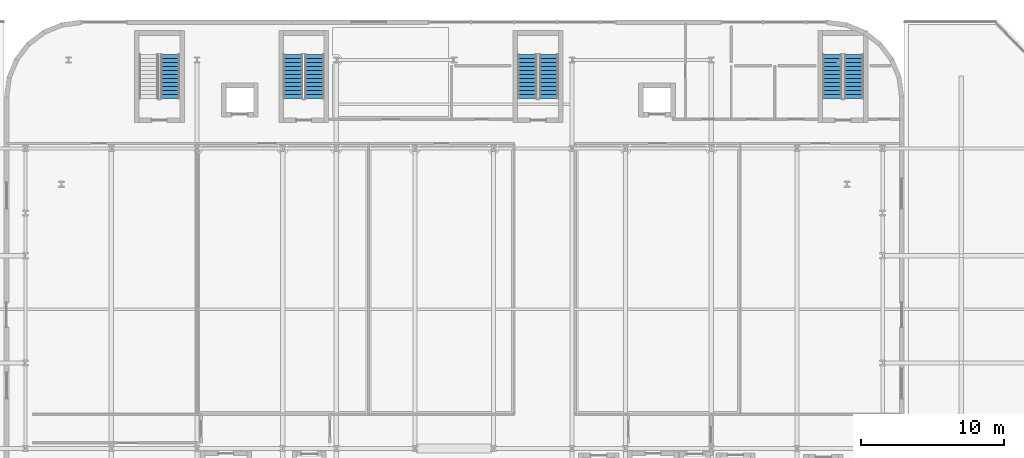
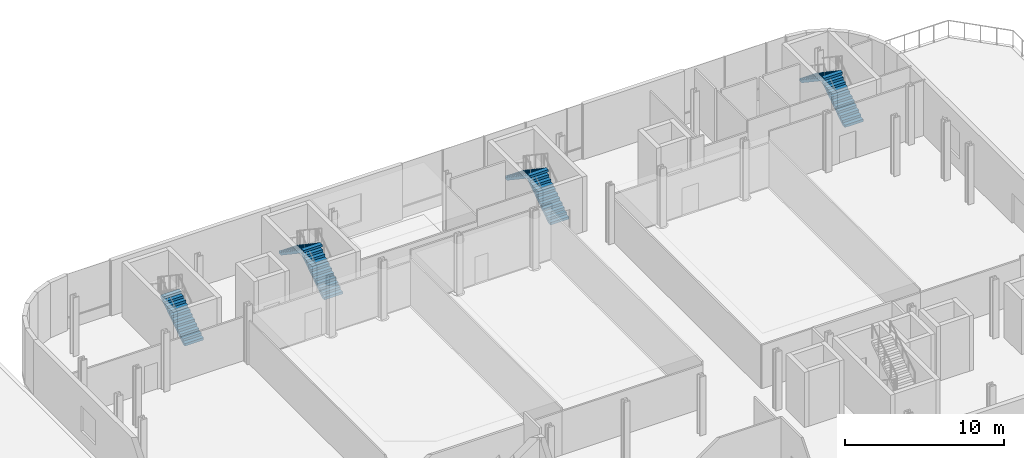
# One storey, part 19 of 26: 7 stair flights, 4 elements without a shape of their own.
"""IFC4 building model written with IfcOpenShell, lengths in metres."""

from ifc_helpers import new_model, si_unit, direction, frame, origin, place, context, subcontext, project, spatial, polyline, outline, extrude, material, layer, layer_set, type_object, element, aggregate, save


model = new_model("IFC4")

# Units and contexts
model_context = context("Model", 3, precision=1e-05, world=origin(), true_north=direction((0.0, 1.0)))
body_context = subcontext(model_context, "Body", "Model", "MODEL_VIEW")
ifc_project = project(units=[si_unit("LENGTHUNIT", "METRE"), si_unit("AREAUNIT", "SQUARE_METRE"), si_unit("VOLUMEUNIT", "CUBIC_METRE"), si_unit("PLANEANGLEUNIT", "RADIAN"), si_unit("MASSUNIT", "GRAM", prefix="KILO")], contexts=[model_context])

# Site, building, storey
site_placement = place(None, origin())
site = spatial("IfcSite", under=ifc_project, at=site_placement, CompositionType="ELEMENT")
building_placement = place(site_placement, origin())
building = spatial("IfcBuilding", under=site, at=building_placement, Name="Brevholm Reach", CompositionType="ELEMENT")
storey_placement = place(building_placement, frame((0.0, 0.0, 18.0)))
storey = spatial("IfcBuildingStorey", under=building, at=storey_placement, Name="L04", CompositionType="ELEMENT", Elevation=18.0)

# Stair, stair flight
ifc_material_1 = material(Name="Precast Concrete C40/50", Category="concrete")
stair_type = type_object("IfcStairType", Name="STR-ESC-1250", PredefinedType="DOUBLE_RETURN_STAIR", material=ifc_material_1)
stair_1_placement = place(storey_placement, origin())
stair_1 = element("IfcStair", 1, at=stair_1_placement, inside=storey, type_object=stair_type, Name="L04 ST-S1", PredefinedType="DOUBLE_RETURN_STAIR")
ifc_material_2 = material(Name="Precast Concrete C40/50", Category="concrete")
ifc_layer = layer(ifc_material_2, 0.1650390625)
ifc_layer_set = layer_set([ifc_layer], Name="Precast Concrete C40/50")
stair_flight_type = type_object("IfcStairFlightType", Name="STF-PRC-165", PredefinedType="STRAIGHT", material=ifc_layer_set)
stair_flight_1_placement = place(storey_placement, frame((10.125, 34.5, 0.0), z_axis=(0.0, 0.0, 1.0), x_axis=(0.0, 1.0, 0.0)))
stair_flight_1 = element("IfcStairFlight", 2, at=stair_flight_1_placement, type_object=stair_flight_type, Name="ST-S1 flight 1", NumberOfRisers=12, NumberOfTreads=11, PredefinedType="STRAIGHT", RiserHeight=0.1875, TreadLength=0.28, context=body_context, shape_type="SweptSolid", body=[
    extrude(outline(polyline([(0.0, 0.0), (0.0, 0.1875), (0.280029296875, 0.1875), (0.280029296875, 0.375), (0.56005859375, 0.375), (0.56005859375, 0.5625), (0.840087890625, 0.5625), (0.840087890625, 0.75), (1.1201171875, 0.75), (1.1201171875, 0.9375), (1.39990234375, 0.9375), (1.39990234375, 1.125), (1.679931640625, 1.125), (1.679931640625, 1.3125), (1.9599609375, 1.3125), (1.9599609375, 1.5), (2.239990234375, 1.5), (2.239990234375, 1.6875), (2.52001953125, 1.6875), (2.52001953125, 1.875), (2.800048828125, 1.875), (2.800048828125, 2.0625), (3.080078125, 2.0625), (3.080078125, 2.25), (3.080078125, 1.882080078125), (0.26953125, 0.0), (0.0, 0.0)])), frame((0.0, 0.675048828125, 0.0), z_axis=(0.0, -1.0, 0.0), x_axis=(1.0, 0.0, 0.0)), (0.0, 0.0, 1.0), 1.35009765625),
])
aggregate(stair_1, [stair_flight_1])

# Stair, stair flights
stair_2_placement = place(storey_placement, origin())
stair_2 = element("IfcStair", 3, at=stair_2_placement, inside=storey, type_object=stair_type, Name="L04 ST-S2", PredefinedType="DOUBLE_RETURN_STAIR")
stair_flight_2_placement = place(storey_placement, frame((20.22509765625, 34.5, 0.0), z_axis=(0.0, 0.0, 1.0), x_axis=(0.0, 1.0, 0.0)))
stair_flight_2 = element("IfcStairFlight", 4, at=stair_flight_2_placement, type_object=stair_flight_type, Name="ST-S2 flight 1", NumberOfRisers=12, NumberOfTreads=11, PredefinedType="STRAIGHT", RiserHeight=0.1875, TreadLength=0.28, context=body_context, shape_type="SweptSolid", body=[
    extrude(outline(polyline([(0.0, 0.0), (0.0, 0.1875), (0.280029296875, 0.1875), (0.280029296875, 0.375), (0.56005859375, 0.375), (0.56005859375, 0.5625), (0.840087890625, 0.5625), (0.840087890625, 0.75), (1.1201171875, 0.75), (1.1201171875, 0.9375), (1.39990234375, 0.9375), (1.39990234375, 1.125), (1.679931640625, 1.125), (1.679931640625, 1.3125), (1.9599609375, 1.3125), (1.9599609375, 1.5), (2.239990234375, 1.5), (2.239990234375, 1.6875), (2.52001953125, 1.6875), (2.52001953125, 1.875), (2.800048828125, 1.875), (2.800048828125, 2.0625), (3.080078125, 2.0625), (3.080078125, 2.25), (3.080078125, 1.882080078125), (0.26953125, 0.0), (0.0, 0.0)])), frame((0.0, 0.675048828125, 0.0), z_axis=(0.0, -1.0, 0.0), x_axis=(1.0, 0.0, 0.0)), (0.0, 0.0, 1.0), 1.35009765625),
])
stair_flight_3_placement = place(storey_placement, frame((18.72509765625, 37.580078125, 2.25), z_axis=(0.0, 0.0, 1.0), x_axis=(0.0, -1.0, 0.0)))
stair_flight_3 = element("IfcStairFlight", 5, at=stair_flight_3_placement, type_object=stair_flight_type, Name="ST-S2 flight 2", NumberOfRisers=12, NumberOfTreads=11, PredefinedType="STRAIGHT", RiserHeight=0.1875, TreadLength=0.28, context=body_context, shape_type="SweptSolid", body=[
    extrude(outline(polyline([(0.0, 0.0), (0.0, 0.1875), (0.280029296875, 0.1875), (0.280029296875, 0.375), (0.56005859375, 0.375), (0.56005859375, 0.5625), (0.840087890625, 0.5625), (0.840087890625, 0.75), (1.1201171875, 0.75), (1.1201171875, 0.9375), (1.39990234375, 0.9375), (1.39990234375, 1.125), (1.679931640625, 1.125), (1.679931640625, 1.3125), (1.9599609375, 1.3125), (1.9599609375, 1.5), (2.239990234375, 1.5), (2.239990234375, 1.6875), (2.52001953125, 1.6875), (2.52001953125, 1.875), (2.800048828125, 1.875), (2.800048828125, 2.0625), (3.080078125, 2.0625), (3.080078125, 2.25), (3.080078125, 1.882080078125), (0.26953125, 0.0), (0.0, 0.0)])), frame((0.0, 0.675048828125, 0.0), z_axis=(0.0, -1.0, 0.0), x_axis=(1.0, 0.0, 0.0)), (0.0, 0.0, 1.0), 1.35009765625),
])
aggregate(stair_2, [stair_flight_2, stair_flight_3])

stair_3_placement = place(storey_placement, origin())
stair_3 = element("IfcStair", 6, at=stair_3_placement, inside=storey, type_object=stair_type, Name="L04 ST-S3", PredefinedType="DOUBLE_RETURN_STAIR")
stair_flight_4_placement = place(storey_placement, frame((36.625, 34.5, 0.0), z_axis=(0.0, 0.0, 1.0), x_axis=(0.0, 1.0, 0.0)))
stair_flight_4 = element("IfcStairFlight", 7, at=stair_flight_4_placement, type_object=stair_flight_type, Name="ST-S3 flight 1", NumberOfRisers=12, NumberOfTreads=11, PredefinedType="STRAIGHT", RiserHeight=0.1875, TreadLength=0.28, context=body_context, shape_type="SweptSolid", body=[
    extrude(outline(polyline([(0.0, 0.0), (0.0, 0.1875), (0.280029296875, 0.1875), (0.280029296875, 0.375), (0.56005859375, 0.375), (0.56005859375, 0.5625), (0.840087890625, 0.5625), (0.840087890625, 0.75), (1.1201171875, 0.75), (1.1201171875, 0.9375), (1.39990234375, 0.9375), (1.39990234375, 1.125), (1.679931640625, 1.125), (1.679931640625, 1.3125), (1.9599609375, 1.3125), (1.9599609375, 1.5), (2.239990234375, 1.5), (2.239990234375, 1.6875), (2.52001953125, 1.6875), (2.52001953125, 1.875), (2.800048828125, 1.875), (2.800048828125, 2.0625), (3.080078125, 2.0625), (3.080078125, 2.25), (3.080078125, 1.882080078125), (0.26953125, 0.0), (0.0, 0.0)])), frame((0.0, 0.675048828125, 0.0), z_axis=(0.0, -1.0, 0.0), x_axis=(1.0, 0.0, 0.0)), (0.0, 0.0, 1.0), 1.35009765625),
])
stair_flight_5_placement = place(storey_placement, frame((35.125, 37.580078125, 2.25), z_axis=(0.0, 0.0, 1.0), x_axis=(0.0, -1.0, 0.0)))
stair_flight_5 = element("IfcStairFlight", 8, at=stair_flight_5_placement, type_object=stair_flight_type, Name="ST-S3 flight 2", NumberOfRisers=12, NumberOfTreads=11, PredefinedType="STRAIGHT", RiserHeight=0.1875, TreadLength=0.28, context=body_context, shape_type="SweptSolid", body=[
    extrude(outline(polyline([(0.0, 0.0), (0.0, 0.1875), (0.280029296875, 0.1875), (0.280029296875, 0.375), (0.56005859375, 0.375), (0.56005859375, 0.5625), (0.840087890625, 0.5625), (0.840087890625, 0.75), (1.1201171875, 0.75), (1.1201171875, 0.9375), (1.39990234375, 0.9375), (1.39990234375, 1.125), (1.679931640625, 1.125), (1.679931640625, 1.3125), (1.9599609375, 1.3125), (1.9599609375, 1.5), (2.239990234375, 1.5), (2.239990234375, 1.6875), (2.52001953125, 1.6875), (2.52001953125, 1.875), (2.800048828125, 1.875), (2.800048828125, 2.0625), (3.080078125, 2.0625), (3.080078125, 2.25), (3.080078125, 1.882080078125), (0.26953125, 0.0), (0.0, 0.0)])), frame((0.0, 0.675048828125, 0.0), z_axis=(0.0, -1.0, 0.0), x_axis=(1.0, 0.0, 0.0)), (0.0, 0.0, 1.0), 1.35009765625),
])
aggregate(stair_3, [stair_flight_4, stair_flight_5])

stair_4_placement = place(storey_placement, origin())
stair_4 = element("IfcStair", 9, at=stair_4_placement, inside=storey, type_object=stair_type, Name="L04 ST-S4", PredefinedType="DOUBLE_RETURN_STAIR")
stair_flight_6_placement = place(storey_placement, frame((57.97509765625, 34.5, 0.0), z_axis=(0.0, 0.0, 1.0), x_axis=(0.0, 1.0, 0.0)))
stair_flight_6 = element("IfcStairFlight", 10, at=stair_flight_6_placement, type_object=stair_flight_type, Name="ST-S4 flight 1", NumberOfRisers=12, NumberOfTreads=11, PredefinedType="STRAIGHT", RiserHeight=0.1875, TreadLength=0.28, context=body_context, shape_type="SweptSolid", body=[
    extrude(outline(polyline([(0.0, 0.0), (0.0, 0.1875), (0.280029296875, 0.1875), (0.280029296875, 0.375), (0.56005859375, 0.375), (0.56005859375, 0.5625), (0.840087890625, 0.5625), (0.840087890625, 0.75), (1.1201171875, 0.75), (1.1201171875, 0.9375), (1.39990234375, 0.9375), (1.39990234375, 1.125), (1.679931640625, 1.125), (1.679931640625, 1.3125), (1.9599609375, 1.3125), (1.9599609375, 1.5), (2.239990234375, 1.5), (2.239990234375, 1.6875), (2.52001953125, 1.6875), (2.52001953125, 1.875), (2.800048828125, 1.875), (2.800048828125, 2.0625), (3.080078125, 2.0625), (3.080078125, 2.25), (3.080078125, 1.882080078125), (0.26953125, 0.0), (0.0, 0.0)])), frame((0.0, 0.675048828125, 0.0), z_axis=(0.0, -1.0, 0.0), x_axis=(1.0, 0.0, 0.0)), (0.0, 0.0, 1.0), 1.35009765625),
])
stair_flight_7_placement = place(storey_placement, frame((56.47509765625, 37.580078125, 2.25), z_axis=(0.0, 0.0, 1.0), x_axis=(0.0, -1.0, 0.0)))
stair_flight_7 = element("IfcStairFlight", 11, at=stair_flight_7_placement, type_object=stair_flight_type, Name="ST-S4 flight 2", NumberOfRisers=12, NumberOfTreads=11, PredefinedType="STRAIGHT", RiserHeight=0.1875, TreadLength=0.28, context=body_context, shape_type="SweptSolid", body=[
    extrude(outline(polyline([(0.0, 0.0), (0.0, 0.1875), (0.280029296875, 0.1875), (0.280029296875, 0.375), (0.56005859375, 0.375), (0.56005859375, 0.5625), (0.840087890625, 0.5625), (0.840087890625, 0.75), (1.1201171875, 0.75), (1.1201171875, 0.9375), (1.39990234375, 0.9375), (1.39990234375, 1.125), (1.679931640625, 1.125), (1.679931640625, 1.3125), (1.9599609375, 1.3125), (1.9599609375, 1.5), (2.239990234375, 1.5), (2.239990234375, 1.6875), (2.52001953125, 1.6875), (2.52001953125, 1.875), (2.800048828125, 1.875), (2.800048828125, 2.0625), (3.080078125, 2.0625), (3.080078125, 2.25), (3.080078125, 1.882080078125), (0.26953125, 0.0), (0.0, 0.0)])), frame((0.0, 0.675048828125, 0.0), z_axis=(0.0, -1.0, 0.0), x_axis=(1.0, 0.0, 0.0)), (0.0, 0.0, 1.0), 1.35009765625),
])
aggregate(stair_4, [stair_flight_6, stair_flight_7])

save(model, "model.ifc")
